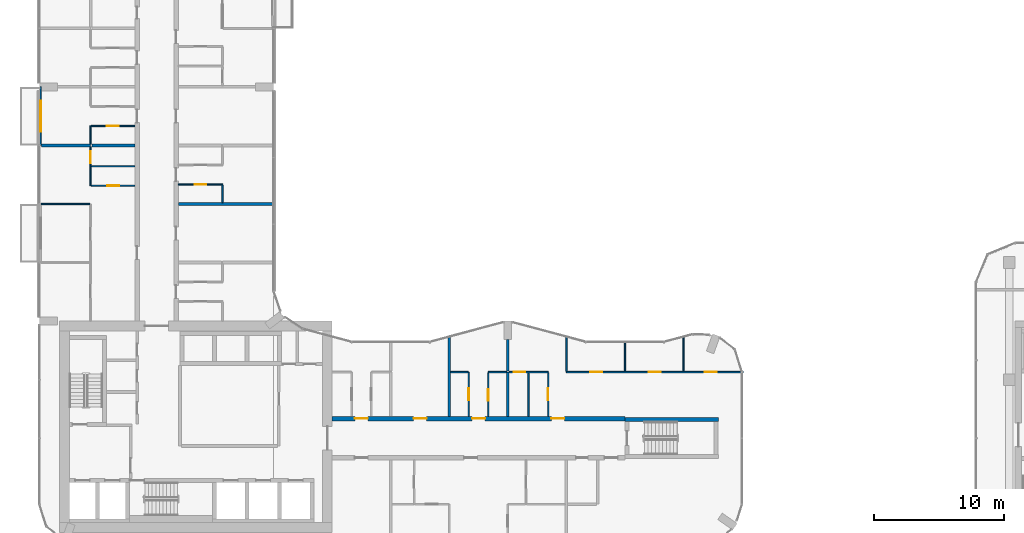
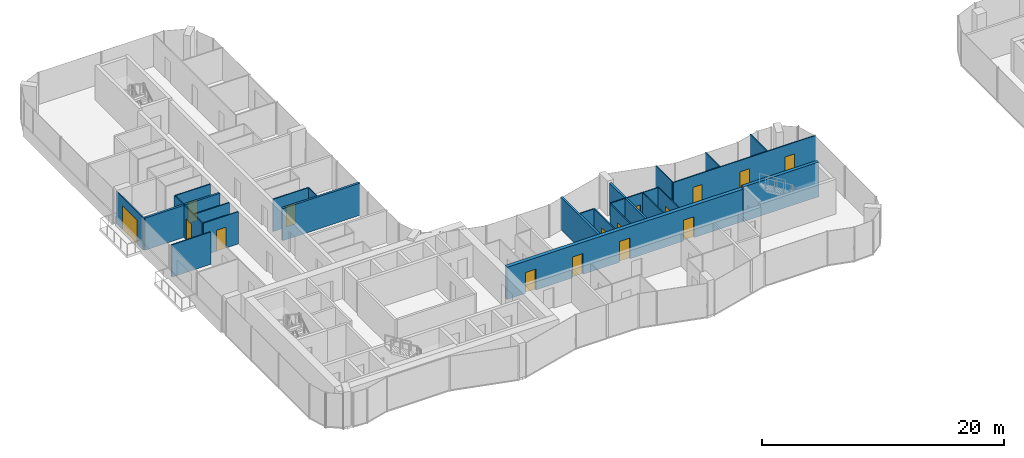
# One storey, part 16 of 24: 28 walls, 16 doors, 16 openings.
"""IFC4 building model written with IfcOpenShell, lengths in metres."""

from ifc_helpers import new_model, si_unit, direction, frame, frame_2d, origin, place, context, subcontext, project, spatial, rectangle, extrude, material, layer, layer_set, type_object, element, fill, save


model = new_model("IFC4")

# Units and contexts
model_context = context("Model", 3, precision=1e-05, world=origin(), true_north=direction((0.0, 1.0)))
body_context = subcontext(model_context, "Body", "Model", "MODEL_VIEW")
ifc_project = project(units=[si_unit("LENGTHUNIT", "METRE"), si_unit("AREAUNIT", "SQUARE_METRE"), si_unit("VOLUMEUNIT", "CUBIC_METRE"), si_unit("PLANEANGLEUNIT", "RADIAN"), si_unit("MASSUNIT", "GRAM", prefix="KILO")], contexts=[model_context])

# Site, building, storey
site_placement = place(None, origin())
site = spatial("IfcSite", under=ifc_project, at=site_placement, CompositionType="ELEMENT")
building_placement = place(site_placement, origin())
building = spatial("IfcBuilding", under=site, at=building_placement, Name="Plateau Cross Towers", CompositionType="ELEMENT")
storey_placement = place(building_placement, frame((0.0, 0.0, 44.300048828125)))
storey = spatial("IfcBuildingStorey", under=building, at=storey_placement, Name="L10", CompositionType="ELEMENT", Elevation=44.300048828125)

# Wall, opening, door
ifc_material_1 = material(Name="Aluminium framed glazing", Category="aluminium")
ifc_layer_1 = layer(ifc_material_1, 0.10009765625)
ifc_layer_set_1 = layer_set([ifc_layer_1], Name="Aluminium framed glazing")
wall_type_1 = type_object("IfcWallType", Name="Balcony screen wall 100", PredefinedType="STANDARD", material=ifc_layer_set_1)
wall_1_placement = place(storey_placement, frame((0.10009765625, 31.5, 0.0), z_axis=(0.0, 0.0, 1.0), x_axis=(0.0, 1.0, 0.0)))
wall_1 = element("IfcWall", 1, at=wall_1_placement, inside=storey, type_object=wall_type_1, Name="Balcony screen wall A-BAL-L10-02", PredefinedType="STANDARD", context=body_context, shape_type="SweptSolid", body=[
    extrude(rectangle(XDim=4.5, YDim=0.10009765625, at=frame_2d((2.25, 0.0))), origin(), (0.0, 0.0, 1.0), 3.25),
])
opening_1_placement = place(wall_1_placement, frame((1.050048828125, 0.0, 0.0)))
opening_1 = element("IfcOpeningElement", 2, at=opening_1_placement, cuts=wall_1, Name="Opening D-B24", PredefinedType="OPENING", context=body_context, shape_type="SweptSolid", body=[
    extrude(rectangle(XDim=2.39990234375, YDim=2.39990234375, at=frame_2d((1.199951171875, 1.199951171875))), frame((0.0, 0.06005859375, 0.0), z_axis=(0.0, -1.0, 0.0), x_axis=(1.0, 0.0, 0.0)), (0.0, 0.0, 1.0), 0.1201171875),
])
ifc_material_2 = material(Name="Aluminium frame, double glazing", Category="aluminium")
door_type_1 = type_object("IfcDoorType", Name="Balcony sliding door 2400", OperationType="NOTDEFINED", PredefinedType="DOOR", material=ifc_material_2)
door_1_placement = place(opening_1_placement, origin())
door_1 = element("IfcDoor", 3, at=door_1_placement, inside=storey, type_object=door_type_1, Name="Balcony door A-BAL-L10-02", OperationType="SINGLE_SWING_LEFT", OverallHeight=2.39990234375, OverallWidth=2.39990234375, PredefinedType="DOOR", context=body_context, shape_type="SweptSolid", body=[
    extrude(rectangle(XDim=2.39990234375, YDim=2.39990234375, at=frame_2d((1.199951171875, 1.199951171875))), frame((0.0, 0.02490234375, 0.0), z_axis=(0.0, -1.0, 0.0), x_axis=(1.0, 0.0, 0.0)), (0.0, 0.0, 1.0), 0.050048828125),
])
fill(opening_1, door_1)

# Wall, openings, doors
ifc_material_3 = material(Name="Concrete C60/75", Category="concrete")
ifc_layer_2 = layer(ifc_material_3, 0.35009765625)
ifc_layer_set_2 = layer_set([ifc_layer_2], Name="Concrete C60/75")
wall_type_2 = type_object("IfcWallType", Name="Corridor wall 350", PredefinedType="SHEAR", material=ifc_layer_set_2)
wall_2_placement = place(storey_placement, frame((22.5, 10.5, 0.0), z_axis=(0.0, 0.0, 1.0), x_axis=(1.0, 0.0, 0.0)))
wall_2 = element("IfcWall", 4, at=wall_2_placement, inside=storey, type_object=wall_type_2, Name="A-cw-S2@L10", PredefinedType="SHEAR", context=body_context, shape_type="SweptSolid", body=[
    extrude(rectangle(XDim=22.5, YDim=0.35009765625, at=frame_2d((11.25, 0.0))), origin(), (0.0, 0.0, 1.0), 3.25),
])
opening_2_placement = place(wall_2_placement, frame((1.75, 0.0, 0.0)))
opening_2 = element("IfcOpeningElement", 5, at=opening_2_placement, cuts=wall_2, Name="Opening 10-05", PredefinedType="OPENING", context=body_context, shape_type="SweptSolid", body=[
    extrude(rectangle(XDim=1.0, YDim=2.10009765625, at=frame_2d((0.5, 1.050048828125))), frame((0.0, 0.18505859375, 0.0), z_axis=(0.0, -1.0, 0.0), x_axis=(1.0, 0.0, 0.0)), (0.0, 0.0, 1.0), 0.3701171875),
])
opening_3_placement = place(wall_2_placement, frame((6.25, 0.0, 0.0)))
opening_3 = element("IfcOpeningElement", 6, at=opening_3_placement, cuts=wall_2, Name="Opening 10-06", PredefinedType="OPENING", context=body_context, shape_type="SweptSolid", body=[
    extrude(rectangle(XDim=1.0, YDim=2.10009765625, at=frame_2d((0.5, 1.050048828125))), frame((0.0, 0.18505859375, 0.0), z_axis=(0.0, -1.0, 0.0), x_axis=(1.0, 0.0, 0.0)), (0.0, 0.0, 1.0), 0.3701171875),
])
opening_4_placement = place(wall_2_placement, frame((10.75, 0.0, 0.0)))
opening_4 = element("IfcOpeningElement", 7, at=opening_4_placement, cuts=wall_2, Name="Opening 10-07", PredefinedType="OPENING", context=body_context, shape_type="SweptSolid", body=[
    extrude(rectangle(XDim=1.0, YDim=2.10009765625, at=frame_2d((0.5, 1.050048828125))), frame((0.0, 0.18505859375, 0.0), z_axis=(0.0, -1.0, 0.0), x_axis=(1.0, 0.0, 0.0)), (0.0, 0.0, 1.0), 0.3701171875),
])
opening_5_placement = place(wall_2_placement, frame((16.85009765625, 0.0, 0.0)))
opening_5 = element("IfcOpeningElement", 8, at=opening_5_placement, cuts=wall_2, Name="Opening 10-08", PredefinedType="OPENING", context=body_context, shape_type="SweptSolid", body=[
    extrude(rectangle(XDim=1.0, YDim=2.10009765625, at=frame_2d((0.5, 1.050048828125))), frame((0.0, 0.18505859375, 0.0), z_axis=(0.0, -1.0, 0.0), x_axis=(1.0, 0.0, 0.0)), (0.0, 0.0, 1.0), 0.3701171875),
])
ifc_material_4 = material(Name="Timber, fire-resisting leaf", Category="wood")
door_type_2 = type_object("IfcDoorType", Name="Flat entrance door 1000", OperationType="NOTDEFINED", PredefinedType="DOOR", material=ifc_material_4)
door_2_placement = place(opening_2_placement, origin())
door_2 = element("IfcDoor", 9, at=door_2_placement, inside=storey, type_object=door_type_2, Name="Door 10-05", OperationType="SINGLE_SWING_LEFT", OverallHeight=2.10009765625, OverallWidth=1.0, PredefinedType="DOOR", context=body_context, shape_type="SweptSolid", body=[
    extrude(rectangle(XDim=1.0, YDim=2.10009765625, at=frame_2d((0.5, 1.050048828125))), frame((0.0, 0.02490234375, 0.0), z_axis=(0.0, -1.0, 0.0), x_axis=(1.0, 0.0, 0.0)), (0.0, 0.0, 1.0), 0.050048828125),
])
fill(opening_2, door_2)
door_3_placement = place(opening_3_placement, origin())
door_3 = element("IfcDoor", 10, at=door_3_placement, inside=storey, type_object=door_type_2, Name="Door 10-06", OperationType="SINGLE_SWING_LEFT", OverallHeight=2.10009765625, OverallWidth=1.0, PredefinedType="DOOR", context=body_context, shape_type="SweptSolid", body=[
    extrude(rectangle(XDim=1.0, YDim=2.10009765625, at=frame_2d((0.5, 1.050048828125))), frame((0.0, 0.02490234375, 0.0), z_axis=(0.0, -1.0, 0.0), x_axis=(1.0, 0.0, 0.0)), (0.0, 0.0, 1.0), 0.050048828125),
])
fill(opening_3, door_3)
door_4_placement = place(opening_4_placement, origin())
door_4 = element("IfcDoor", 11, at=door_4_placement, inside=storey, type_object=door_type_2, Name="Door 10-07", OperationType="SINGLE_SWING_LEFT", OverallHeight=2.10009765625, OverallWidth=1.0, PredefinedType="DOOR", context=body_context, shape_type="SweptSolid", body=[
    extrude(rectangle(XDim=1.0, YDim=2.10009765625, at=frame_2d((0.5, 1.050048828125))), frame((0.0, 0.02490234375, 0.0), z_axis=(0.0, -1.0, 0.0), x_axis=(1.0, 0.0, 0.0)), (0.0, 0.0, 1.0), 0.050048828125),
])
fill(opening_4, door_4)
door_5_placement = place(opening_5_placement, origin())
door_5 = element("IfcDoor", 12, at=door_5_placement, inside=storey, type_object=door_type_2, Name="Door 10-08", OperationType="SINGLE_SWING_RIGHT", OverallHeight=2.10009765625, OverallWidth=1.0, PredefinedType="DOOR", context=body_context, shape_type="SweptSolid", body=[
    extrude(rectangle(XDim=1.0, YDim=2.10009765625, at=frame_2d((0.5, 1.050048828125))), frame((0.0, 0.02490234375, 0.0), z_axis=(0.0, -1.0, 0.0), x_axis=(1.0, 0.0, 0.0)), (0.0, 0.0, 1.0), 0.050048828125),
])
fill(opening_5, door_5)

# Walls
ifc_material_5 = material(Name="Gypsum board on steel studs", Category="steel")
ifc_layer_3 = layer(ifc_material_5, 0.10009765625)
ifc_layer_set_3 = layer_set([ifc_layer_3], Name="Gypsum board on steel studs")
wall_type_3 = type_object("IfcWallType", Name="Flat partition 100", PredefinedType="PARTITIONING", material=ifc_layer_set_3)
wall_3_placement = place(storey_placement, frame((32.949951171875, 14.074951171875, 0.0), z_axis=(0.0, 0.0, 1.0), x_axis=(-1.0, 0.0, 0.0)))
element("IfcWall", 13, at=wall_3_placement, inside=storey, type_object=wall_type_3, Name="Partition wall", PredefinedType="PARTITIONING", context=body_context, shape_type="SweptSolid", body=[
    extrude(rectangle(XDim=1.349853515625, YDim=0.10009765625, at=frame_2d((0.6748046875, 0.0))), origin(), (0.0, 0.0, 1.0), 3.25),
])
wall_4_placement = place(storey_placement, frame((35.89990234375, 14.074951171875, 0.0), z_axis=(0.0, 0.0, 1.0), x_axis=(-1.0, 0.0, 0.0)))
element("IfcWall", 14, at=wall_4_placement, inside=storey, type_object=wall_type_3, Name="Partition wall", PredefinedType="PARTITIONING", context=body_context, shape_type="SweptSolid", body=[
    extrude(rectangle(XDim=1.39990234375, YDim=0.10009765625, at=frame_2d((0.699951171875, 0.0))), origin(), (0.0, 0.0, 1.0), 3.25),
])

# Wall, opening, door
wall_5_placement = place(storey_placement, frame((39.10009765625, 14.074951171875, 0.0), z_axis=(0.0, 0.0, 1.0), x_axis=(-1.0, 0.0, 0.0)))
wall_5 = element("IfcWall", 15, at=wall_5_placement, inside=storey, type_object=wall_type_3, Name="Partition wall", PredefinedType="PARTITIONING", context=body_context, shape_type="SweptSolid", body=[
    extrude(rectangle(XDim=3.0, YDim=0.10009765625, at=frame_2d((1.5, 0.0))), origin(), (0.0, 0.0, 1.0), 3.25),
])
opening_6_placement = place(wall_5_placement, frame((1.75, 0.0, 0.0)))
opening_6 = element("IfcOpeningElement", 16, at=opening_6_placement, cuts=wall_5, Name="Opening 10-27", PredefinedType="OPENING", context=body_context, shape_type="SweptSolid", body=[
    extrude(rectangle(XDim=0.89990234375, YDim=2.10009765625, at=frame_2d((0.449951171875, 1.050048828125))), frame((0.0, 0.06005859375, 0.0), z_axis=(0.0, -1.0, 0.0), x_axis=(1.0, 0.0, 0.0)), (0.0, 0.0, 1.0), 0.1201171875),
])
ifc_material_6 = material(Name="Timber leaf", Category="wood")
door_type_3 = type_object("IfcDoorType", Name="Flat room door 900", OperationType="NOTDEFINED", PredefinedType="DOOR", material=ifc_material_6)
door_6_placement = place(opening_6_placement, origin())
door_6 = element("IfcDoor", 17, at=door_6_placement, inside=storey, type_object=door_type_3, Name="Door 10-27", OperationType="SINGLE_SWING_RIGHT", OverallHeight=2.10009765625, OverallWidth=0.89990234375, PredefinedType="DOOR", context=body_context, shape_type="SweptSolid", body=[
    extrude(rectangle(XDim=0.89990234375, YDim=2.10009765625, at=frame_2d((0.449951171875, 1.050048828125))), frame((0.0, 0.02490234375, 0.0), z_axis=(0.0, -1.0, 0.0), x_axis=(1.0, 0.0, 0.0)), (0.0, 0.0, 1.0), 0.050048828125),
])
fill(opening_6, door_6)

# Wall, openings, doors
wall_6_placement = place(storey_placement, frame((40.5, 14.074951171875, 0.0), z_axis=(0.0, 0.0, 1.0), x_axis=(1.0, 0.0, 0.0)))
wall_6 = element("IfcWall", 18, at=wall_6_placement, inside=storey, type_object=wall_type_3, Name="Partition wall", PredefinedType="PARTITIONING", context=body_context, shape_type="SweptSolid", body=[
    extrude(rectangle(XDim=13.580078125, YDim=0.10009765625, at=frame_2d((6.7900390625, 0.0))), origin(), (0.0, 0.0, 1.0), 3.25),
])
opening_7_placement = place(wall_6_placement, frame((1.85009765625, 0.0, 0.0)))
opening_7 = element("IfcOpeningElement", 19, at=opening_7_placement, cuts=wall_6, Name="Opening 10-29", PredefinedType="OPENING", context=body_context, shape_type="SweptSolid", body=[
    extrude(rectangle(XDim=0.89990234375, YDim=2.10009765625, at=frame_2d((0.449951171875, 1.050048828125))), frame((0.0, 0.06005859375, 0.0), z_axis=(0.0, -1.0, 0.0), x_axis=(1.0, 0.0, 0.0)), (0.0, 0.0, 1.0), 0.1201171875),
])
opening_8_placement = place(wall_6_placement, frame((6.35009765625, 0.0, 0.0)))
opening_8 = element("IfcOpeningElement", 20, at=opening_8_placement, cuts=wall_6, Name="Opening 10-30", PredefinedType="OPENING", context=body_context, shape_type="SweptSolid", body=[
    extrude(rectangle(XDim=0.89990234375, YDim=2.10009765625, at=frame_2d((0.449951171875, 1.050048828125))), frame((0.0, 0.06005859375, 0.0), z_axis=(0.0, -1.0, 0.0), x_axis=(1.0, 0.0, 0.0)), (0.0, 0.0, 1.0), 0.1201171875),
])
opening_9_placement = place(wall_6_placement, frame((10.64990234375, 0.0, 0.0)))
opening_9 = element("IfcOpeningElement", 21, at=opening_9_placement, cuts=wall_6, Name="Opening 10-31", PredefinedType="OPENING", context=body_context, shape_type="SweptSolid", body=[
    extrude(rectangle(XDim=0.89990234375, YDim=2.10009765625, at=frame_2d((0.449951171875, 1.050048828125))), frame((0.0, 0.06005859375, 0.0), z_axis=(0.0, -1.0, 0.0), x_axis=(1.0, 0.0, 0.0)), (0.0, 0.0, 1.0), 0.1201171875),
])
door_7_placement = place(opening_7_placement, origin())
door_7 = element("IfcDoor", 22, at=door_7_placement, inside=storey, type_object=door_type_3, Name="Door 10-29", OperationType="SINGLE_SWING_LEFT", OverallHeight=2.10009765625, OverallWidth=0.89990234375, PredefinedType="DOOR", context=body_context, shape_type="SweptSolid", body=[
    extrude(rectangle(XDim=0.89990234375, YDim=2.10009765625, at=frame_2d((0.449951171875, 1.050048828125))), frame((0.0, 0.02490234375, 0.0), z_axis=(0.0, -1.0, 0.0), x_axis=(1.0, 0.0, 0.0)), (0.0, 0.0, 1.0), 0.050048828125),
])
fill(opening_7, door_7)
door_8_placement = place(opening_8_placement, origin())
door_8 = element("IfcDoor", 23, at=door_8_placement, inside=storey, type_object=door_type_3, Name="Door 10-30", OperationType="SINGLE_SWING_RIGHT", OverallHeight=2.10009765625, OverallWidth=0.89990234375, PredefinedType="DOOR", context=body_context, shape_type="SweptSolid", body=[
    extrude(rectangle(XDim=0.89990234375, YDim=2.10009765625, at=frame_2d((0.449951171875, 1.050048828125))), frame((0.0, 0.02490234375, 0.0), z_axis=(0.0, -1.0, 0.0), x_axis=(1.0, 0.0, 0.0)), (0.0, 0.0, 1.0), 0.050048828125),
])
fill(opening_8, door_8)
door_9_placement = place(opening_9_placement, origin())
door_9 = element("IfcDoor", 24, at=door_9_placement, inside=storey, type_object=door_type_3, Name="Door 10-31", OperationType="SINGLE_SWING_RIGHT", OverallHeight=2.10009765625, OverallWidth=0.89990234375, PredefinedType="DOOR", context=body_context, shape_type="SweptSolid", body=[
    extrude(rectangle(XDim=0.89990234375, YDim=2.10009765625, at=frame_2d((0.449951171875, 1.050048828125))), frame((0.0, 0.02490234375, 0.0), z_axis=(0.0, -1.0, 0.0), x_axis=(1.0, 0.0, 0.0)), (0.0, 0.0, 1.0), 0.050048828125),
])
fill(opening_9, door_9)

# Wall
wall_7_placement = place(storey_placement, frame((3.875, 27.0, 0.0), z_axis=(0.0, 0.0, 1.0), x_axis=(-1.0, 0.0, 0.0)))
element("IfcWall", 25, at=wall_7_placement, inside=storey, type_object=wall_type_3, Name="Partition wall", PredefinedType="PARTITIONING", context=body_context, shape_type="SweptSolid", body=[
    extrude(rectangle(XDim=3.72509765625, YDim=0.10009765625, at=frame_2d((1.862548828125, 0.0))), origin(), (0.0, 0.0, 1.0), 3.25),
])

# Wall, opening, door
wall_8_placement = place(storey_placement, frame((3.97509765625, 28.39990234375, 0.0), z_axis=(0.0, 0.0, 1.0), x_axis=(1.0, 0.0, 0.0)))
wall_8 = element("IfcWall", 26, at=wall_8_placement, inside=storey, type_object=wall_type_3, Name="Partition wall", PredefinedType="PARTITIONING", context=body_context, shape_type="SweptSolid", body=[
    extrude(rectangle(XDim=3.349853515625, YDim=0.10009765625, at=frame_2d((1.6748046875, 0.0))), origin(), (0.0, 0.0, 1.0), 3.25),
])
opening_10_placement = place(wall_8_placement, frame((1.25, 0.0, 0.0)))
opening_10 = element("IfcOpeningElement", 27, at=opening_10_placement, cuts=wall_8, Name="Opening 10-32", PredefinedType="OPENING", context=body_context, shape_type="SweptSolid", body=[
    extrude(rectangle(XDim=0.89990234375, YDim=2.10009765625, at=frame_2d((0.449951171875, 1.050048828125))), frame((0.0, 0.06005859375, 0.0), z_axis=(0.0, -1.0, 0.0), x_axis=(1.0, 0.0, 0.0)), (0.0, 0.0, 1.0), 0.1201171875),
])
door_10_placement = place(opening_10_placement, origin())
door_10 = element("IfcDoor", 28, at=door_10_placement, inside=storey, type_object=door_type_3, Name="Door 10-32", OperationType="SINGLE_SWING_RIGHT", OverallHeight=2.10009765625, OverallWidth=0.89990234375, PredefinedType="DOOR", context=body_context, shape_type="SweptSolid", body=[
    extrude(rectangle(XDim=0.89990234375, YDim=2.10009765625, at=frame_2d((0.449951171875, 1.050048828125))), frame((0.0, 0.02490234375, 0.0), z_axis=(0.0, -1.0, 0.0), x_axis=(1.0, 0.0, 0.0)), (0.0, 0.0, 1.0), 0.050048828125),
])
fill(opening_10, door_10)

wall_9_placement = place(storey_placement, frame((14.074951171875, 28.5, 0.0), z_axis=(0.0, 0.0, 1.0), x_axis=(-1.0, 0.0, 0.0)))
wall_9 = element("IfcWall", 29, at=wall_9_placement, inside=storey, type_object=wall_type_3, Name="Partition wall", PredefinedType="PARTITIONING", context=body_context, shape_type="SweptSolid", body=[
    extrude(rectangle(XDim=3.39990234375, YDim=0.10009765625, at=frame_2d((1.699951171875, 0.0))), origin(), (0.0, 0.0, 1.0), 3.25),
])
opening_11_placement = place(wall_9_placement, frame((1.25, 0.0, 0.0)))
opening_11 = element("IfcOpeningElement", 30, at=opening_11_placement, cuts=wall_9, Name="Opening 10-42", PredefinedType="OPENING", context=body_context, shape_type="SweptSolid", body=[
    extrude(rectangle(XDim=0.89990234375, YDim=2.10009765625, at=frame_2d((0.449951171875, 1.050048828125))), frame((0.0, 0.06005859375, 0.0), z_axis=(0.0, -1.0, 0.0), x_axis=(1.0, 0.0, 0.0)), (0.0, 0.0, 1.0), 0.1201171875),
])
door_11_placement = place(opening_11_placement, origin())
door_11 = element("IfcDoor", 31, at=door_11_placement, inside=storey, type_object=door_type_3, Name="Door 10-42", OperationType="SINGLE_SWING_RIGHT", OverallHeight=2.10009765625, OverallWidth=0.89990234375, PredefinedType="DOOR", context=body_context, shape_type="SweptSolid", body=[
    extrude(rectangle(XDim=0.89990234375, YDim=2.10009765625, at=frame_2d((0.449951171875, 1.050048828125))), frame((0.0, 0.02490234375, 0.0), z_axis=(0.0, -1.0, 0.0), x_axis=(1.0, 0.0, 0.0)), (0.0, 0.0, 1.0), 0.050048828125),
])
fill(opening_11, door_11)

# Wall
wall_10_placement = place(storey_placement, frame((7.324951171875, 29.89990234375, 0.0), z_axis=(0.0, 0.0, 1.0), x_axis=(-1.0, 0.0, 0.0)))
element("IfcWall", 32, at=wall_10_placement, inside=storey, type_object=wall_type_3, Name="Partition wall", PredefinedType="PARTITIONING", context=body_context, shape_type="SweptSolid", body=[
    extrude(rectangle(XDim=3.349853515625, YDim=0.10009765625, at=frame_2d((1.6748046875, 0.0))), origin(), (0.0, 0.0, 1.0), 3.25),
])

# Wall, opening, door
wall_11_placement = place(storey_placement, frame((7.324951171875, 33.0, 0.0), z_axis=(0.0, 0.0, 1.0), x_axis=(-1.0, 0.0, 0.0)))
wall_11 = element("IfcWall", 33, at=wall_11_placement, inside=storey, type_object=wall_type_3, Name="Partition wall", PredefinedType="PARTITIONING", context=body_context, shape_type="SweptSolid", body=[
    extrude(rectangle(XDim=3.349853515625, YDim=0.10009765625, at=frame_2d((1.6748046875, 0.0))), origin(), (0.0, 0.0, 1.0), 3.25),
])
opening_12_placement = place(wall_11_placement, frame((1.25, 0.0, 0.0)))
opening_12 = element("IfcOpeningElement", 34, at=opening_12_placement, cuts=wall_11, Name="Opening 10-36", PredefinedType="OPENING", context=body_context, shape_type="SweptSolid", body=[
    extrude(rectangle(XDim=0.89990234375, YDim=2.10009765625, at=frame_2d((0.449951171875, 1.050048828125))), frame((0.0, 0.06005859375, 0.0), z_axis=(0.0, -1.0, 0.0), x_axis=(1.0, 0.0, 0.0)), (0.0, 0.0, 1.0), 0.1201171875),
])
door_12_placement = place(opening_12_placement, origin())
door_12 = element("IfcDoor", 35, at=door_12_placement, inside=storey, type_object=door_type_3, Name="Door 10-36", OperationType="SINGLE_SWING_RIGHT", OverallHeight=2.10009765625, OverallWidth=0.89990234375, PredefinedType="DOOR", context=body_context, shape_type="SweptSolid", body=[
    extrude(rectangle(XDim=0.89990234375, YDim=2.10009765625, at=frame_2d((0.449951171875, 1.050048828125))), frame((0.0, 0.02490234375, 0.0), z_axis=(0.0, -1.0, 0.0), x_axis=(1.0, 0.0, 0.0)), (0.0, 0.0, 1.0), 0.050048828125),
])
fill(opening_12, door_12)

wall_12_placement = place(storey_placement, frame((3.925048828125, 31.39990234375, 0.0), z_axis=(0.0, 0.0, 1.0), x_axis=(0.0, -1.0, 0.0)))
wall_12 = element("IfcWall", 36, at=wall_12_placement, inside=storey, type_object=wall_type_3, Name="Partition wall", PredefinedType="PARTITIONING", context=body_context, shape_type="SweptSolid", body=[
    extrude(rectangle(XDim=3.0, YDim=0.10009765625, at=frame_2d((1.5, 0.0))), origin(), (0.0, 0.0, 1.0), 3.25),
])
opening_13_placement = place(wall_12_placement, frame((0.35009765625, 0.0, 0.0)))
opening_13 = element("IfcOpeningElement", 37, at=opening_13_placement, cuts=wall_12, Name="Opening 10-33", PredefinedType="OPENING", context=body_context, shape_type="SweptSolid", body=[
    extrude(rectangle(XDim=0.89990234375, YDim=2.10009765625, at=frame_2d((0.449951171875, 1.050048828125))), frame((0.0, 0.06005859375, 0.0), z_axis=(0.0, -1.0, 0.0), x_axis=(1.0, 0.0, 0.0)), (0.0, 0.0, 1.0), 0.1201171875),
])
door_13_placement = place(opening_13_placement, origin())
door_13 = element("IfcDoor", 38, at=door_13_placement, inside=storey, type_object=door_type_3, Name="Door 10-33", OperationType="SINGLE_SWING_LEFT", OverallHeight=2.10009765625, OverallWidth=0.89990234375, PredefinedType="DOOR", context=body_context, shape_type="SweptSolid", body=[
    extrude(rectangle(XDim=0.89990234375, YDim=2.10009765625, at=frame_2d((0.449951171875, 1.050048828125))), frame((0.0, 0.02490234375, 0.0), z_axis=(0.0, -1.0, 0.0), x_axis=(1.0, 0.0, 0.0)), (0.0, 0.0, 1.0), 0.050048828125),
])
fill(opening_13, door_13)

# Walls
wall_13_placement = place(storey_placement, frame((3.925048828125, 33.0, 0.0), z_axis=(0.0, 0.0, 1.0), x_axis=(0.0, -1.0, 0.0)))
element("IfcWall", 39, at=wall_13_placement, inside=storey, type_object=wall_type_3, Name="Partition wall", PredefinedType="PARTITIONING", context=body_context, shape_type="SweptSolid", body=[
    extrude(rectangle(XDim=1.39990234375, YDim=0.10009765625, at=frame_2d((0.699951171875, 0.0))), origin(), (0.0, 0.0, 1.0), 3.25),
])
wall_14_placement = place(storey_placement, frame((14.074951171875, 27.10009765625, 0.0), z_axis=(0.0, 0.0, 1.0), x_axis=(0.0, 1.0, 0.0)))
element("IfcWall", 40, at=wall_14_placement, inside=storey, type_object=wall_type_3, Name="Partition wall", PredefinedType="PARTITIONING", context=body_context, shape_type="SweptSolid", body=[
    extrude(rectangle(XDim=1.349853515625, YDim=0.10009765625, at=frame_2d((0.6748046875, 0.0))), origin(), (0.0, 0.0, 1.0), 3.25),
])

# Wall, opening, door
wall_15_placement = place(storey_placement, frame((33.0, 10.675048828125, 0.0), z_axis=(0.0, 0.0, 1.0), x_axis=(0.0, 1.0, 0.0)))
wall_15 = element("IfcWall", 41, at=wall_15_placement, inside=storey, type_object=wall_type_3, Name="Partition wall", PredefinedType="PARTITIONING", context=body_context, shape_type="SweptSolid", body=[
    extrude(rectangle(XDim=3.39990234375, YDim=0.10009765625, at=frame_2d((1.699951171875, 0.0))), origin(), (0.0, 0.0, 1.0), 3.25),
])
opening_14_placement = place(wall_15_placement, frame((1.25, 0.0, 0.0)))
opening_14 = element("IfcOpeningElement", 42, at=opening_14_placement, cuts=wall_15, Name="Opening 10-25", PredefinedType="OPENING", context=body_context, shape_type="SweptSolid", body=[
    extrude(rectangle(XDim=0.89990234375, YDim=2.10009765625, at=frame_2d((0.449951171875, 1.050048828125))), frame((0.0, 0.06005859375, 0.0), z_axis=(0.0, -1.0, 0.0), x_axis=(1.0, 0.0, 0.0)), (0.0, 0.0, 1.0), 0.1201171875),
])
door_14_placement = place(opening_14_placement, origin())
door_14 = element("IfcDoor", 43, at=door_14_placement, inside=storey, type_object=door_type_3, Name="Door 10-25", OperationType="SINGLE_SWING_RIGHT", OverallHeight=2.10009765625, OverallWidth=0.89990234375, PredefinedType="DOOR", context=body_context, shape_type="SweptSolid", body=[
    extrude(rectangle(XDim=0.89990234375, YDim=2.10009765625, at=frame_2d((0.449951171875, 1.050048828125))), frame((0.0, 0.02490234375, 0.0), z_axis=(0.0, -1.0, 0.0), x_axis=(1.0, 0.0, 0.0)), (0.0, 0.0, 1.0), 0.050048828125),
])
fill(opening_14, door_14)

wall_16_placement = place(storey_placement, frame((34.5, 14.02490234375, 0.0), z_axis=(0.0, 0.0, 1.0), x_axis=(0.0, -1.0, 0.0)))
wall_16 = element("IfcWall", 44, at=wall_16_placement, inside=storey, type_object=wall_type_3, Name="Partition wall", PredefinedType="PARTITIONING", context=body_context, shape_type="SweptSolid", body=[
    extrude(rectangle(XDim=3.349853515625, YDim=0.10009765625, at=frame_2d((1.6748046875, 0.0))), origin(), (0.0, 0.0, 1.0), 3.25),
])
opening_15_placement = place(wall_16_placement, frame((1.25, 0.0, 0.0)))
opening_15 = element("IfcOpeningElement", 45, at=opening_15_placement, cuts=wall_16, Name="Opening 10-26", PredefinedType="OPENING", context=body_context, shape_type="SweptSolid", body=[
    extrude(rectangle(XDim=0.89990234375, YDim=2.10009765625, at=frame_2d((0.449951171875, 1.050048828125))), frame((0.0, 0.06005859375, 0.0), z_axis=(0.0, -1.0, 0.0), x_axis=(1.0, 0.0, 0.0)), (0.0, 0.0, 1.0), 0.1201171875),
])
door_15_placement = place(opening_15_placement, origin())
door_15 = element("IfcDoor", 46, at=door_15_placement, inside=storey, type_object=door_type_3, Name="Door 10-26", OperationType="SINGLE_SWING_RIGHT", OverallHeight=2.10009765625, OverallWidth=0.89990234375, PredefinedType="DOOR", context=body_context, shape_type="SweptSolid", body=[
    extrude(rectangle(XDim=0.89990234375, YDim=2.10009765625, at=frame_2d((0.449951171875, 1.050048828125))), frame((0.0, 0.02490234375, 0.0), z_axis=(0.0, -1.0, 0.0), x_axis=(1.0, 0.0, 0.0)), (0.0, 0.0, 1.0), 0.050048828125),
])
fill(opening_15, door_15)

# Wall
wall_17_placement = place(storey_placement, frame((37.60009765625, 10.675048828125, 0.0), z_axis=(0.0, 0.0, 1.0), x_axis=(0.0, 1.0, 0.0)))
element("IfcWall", 47, at=wall_17_placement, inside=storey, type_object=wall_type_3, Name="Partition wall", PredefinedType="PARTITIONING", context=body_context, shape_type="SweptSolid", body=[
    extrude(rectangle(XDim=3.349853515625, YDim=0.10009765625, at=frame_2d((1.6748046875, 0.0))), origin(), (0.0, 0.0, 1.0), 3.25),
])

# Wall, opening, door
wall_18_placement = place(storey_placement, frame((39.10009765625, 10.675048828125, 0.0), z_axis=(0.0, 0.0, 1.0), x_axis=(0.0, 1.0, 0.0)))
wall_18 = element("IfcWall", 48, at=wall_18_placement, inside=storey, type_object=wall_type_3, Name="Partition wall", PredefinedType="PARTITIONING", context=body_context, shape_type="SweptSolid", body=[
    extrude(rectangle(XDim=3.349853515625, YDim=0.10009765625, at=frame_2d((1.6748046875, 0.0))), origin(), (0.0, 0.0, 1.0), 3.25),
])
opening_16_placement = place(wall_18_placement, frame((1.25, 0.0, 0.0)))
opening_16 = element("IfcOpeningElement", 49, at=opening_16_placement, cuts=wall_18, Name="Opening 10-28", PredefinedType="OPENING", context=body_context, shape_type="SweptSolid", body=[
    extrude(rectangle(XDim=0.89990234375, YDim=2.10009765625, at=frame_2d((0.449951171875, 1.050048828125))), frame((0.0, 0.06005859375, 0.0), z_axis=(0.0, -1.0, 0.0), x_axis=(1.0, 0.0, 0.0)), (0.0, 0.0, 1.0), 0.1201171875),
])
door_16_placement = place(opening_16_placement, origin())
door_16 = element("IfcDoor", 50, at=door_16_placement, inside=storey, type_object=door_type_3, Name="Door 10-28", OperationType="SINGLE_SWING_RIGHT", OverallHeight=2.10009765625, OverallWidth=0.89990234375, PredefinedType="DOOR", context=body_context, shape_type="SweptSolid", body=[
    extrude(rectangle(XDim=0.89990234375, YDim=2.10009765625, at=frame_2d((0.449951171875, 1.050048828125))), frame((0.0, 0.02490234375, 0.0), z_axis=(0.0, -1.0, 0.0), x_axis=(1.0, 0.0, 0.0)), (0.0, 0.0, 1.0), 0.050048828125),
])
fill(opening_16, door_16)

# Walls
wall_19_placement = place(storey_placement, frame((40.5, 16.877685546875, 0.0), z_axis=(0.0, 0.0, 1.0), x_axis=(0.0, -1.0, 0.0)))
element("IfcWall", 51, at=wall_19_placement, inside=storey, type_object=wall_type_3, Name="Partition wall", PredefinedType="PARTITIONING", context=body_context, shape_type="SweptSolid", body=[
    extrude(rectangle(XDim=2.752685546875, YDim=0.10009765625, at=frame_2d((1.37646484375, 0.0))), origin(), (0.0, 0.0, 1.0), 3.25),
])
wall_20_placement = place(storey_placement, frame((45.0, 14.125, 0.0), z_axis=(0.0, 0.0, 1.0), x_axis=(0.0, 1.0, 0.0)))
element("IfcWall", 52, at=wall_20_placement, inside=storey, type_object=wall_type_3, Name="Partition wall", PredefinedType="PARTITIONING", context=body_context, shape_type="SweptSolid", body=[
    extrude(rectangle(XDim=2.34814453125, YDim=0.10009765625, at=frame_2d((1.174072265625, 0.0))), origin(), (0.0, 0.0, 1.0), 3.25),
])
wall_21_placement = place(storey_placement, frame((49.5, 14.125, 0.0), z_axis=(0.0, 0.0, 1.0), x_axis=(0.0, 1.0, 0.0)))
element("IfcWall", 53, at=wall_21_placement, inside=storey, type_object=wall_type_3, Name="Partition wall", PredefinedType="PARTITIONING", context=body_context, shape_type="SweptSolid", body=[
    extrude(rectangle(XDim=2.752685546875, YDim=0.10009765625, at=frame_2d((1.37646484375, 0.0))), origin(), (0.0, 0.0, 1.0), 3.25),
])
ifc_material_7 = material(Name="Gypsum board on steel studs, two layers each side", Category="steel")
ifc_layer_4 = layer(ifc_material_7, 0.199951171875)
ifc_layer_set_4 = layer_set([ifc_layer_4], Name="Gypsum board on steel studs, two layers each side")
wall_type_4 = type_object("IfcWallType", Name="Flat party wall 200", PredefinedType="PARTITIONING", material=ifc_layer_set_4)
wall_22_placement = place(storey_placement, frame((18.080078125, 27.0, 0.0), z_axis=(0.0, 0.0, 1.0), x_axis=(-1.0, 0.0, 0.0)))
element("IfcWall", 54, at=wall_22_placement, inside=storey, type_object=wall_type_4, Name="Party wall", PredefinedType="PARTITIONING", context=body_context, shape_type="SweptSolid", body=[
    extrude(rectangle(XDim=7.405029296875, YDim=0.199951171875, at=frame_2d((3.70263671875, 0.0))), origin(), (0.0, 0.0, 1.0), 3.25),
])
wall_23_placement = place(storey_placement, frame((7.324951171875, 31.5, 0.0), z_axis=(0.0, 0.0, 1.0), x_axis=(-1.0, 0.0, 0.0)))
element("IfcWall", 55, at=wall_23_placement, inside=storey, type_object=wall_type_4, Name="Party wall", PredefinedType="PARTITIONING", context=body_context, shape_type="SweptSolid", body=[
    extrude(rectangle(XDim=3.300048828125, YDim=0.199951171875, at=frame_2d((1.64990234375, 0.0))), origin(), (0.0, 0.0, 1.0), 3.25),
])
wall_24_placement = place(storey_placement, frame((0.14990234375, 31.5, 0.0), z_axis=(0.0, 0.0, 1.0), x_axis=(1.0, 0.0, 0.0)))
element("IfcWall", 56, at=wall_24_placement, inside=storey, type_object=wall_type_4, Name="Party wall", PredefinedType="PARTITIONING", context=body_context, shape_type="SweptSolid", body=[
    extrude(rectangle(XDim=3.775146484375, YDim=0.199951171875, at=frame_2d((1.8876953125, 0.0))), origin(), (0.0, 0.0, 1.0), 3.25),
])
wall_25_placement = place(storey_placement, frame((31.5, 10.675048828125, 0.0), z_axis=(0.0, 0.0, 1.0), x_axis=(0.0, 1.0, 0.0)))
element("IfcWall", 57, at=wall_25_placement, inside=storey, type_object=wall_type_4, Name="Party wall", PredefinedType="PARTITIONING", context=body_context, shape_type="SweptSolid", body=[
    extrude(rectangle(XDim=6.20263671875, YDim=0.199951171875, at=frame_2d((3.101318359375, 0.0))), origin(), (0.0, 0.0, 1.0), 3.25),
])
wall_26_placement = place(storey_placement, frame((36.0, 16.60009765625, 0.0), z_axis=(0.0, 0.0, 1.0), x_axis=(0.0, -1.0, 0.0)))
element("IfcWall", 58, at=wall_26_placement, inside=storey, type_object=wall_type_4, Name="Party wall", PredefinedType="PARTITIONING", context=body_context, shape_type="SweptSolid", body=[
    extrude(rectangle(XDim=2.425048828125, YDim=0.199951171875, at=frame_2d((1.21240234375, 0.0))), origin(), (0.0, 0.0, 1.0), 3.25),
])
wall_27_placement = place(storey_placement, frame((36.0, 10.675048828125, 0.0), z_axis=(0.0, 0.0, 1.0), x_axis=(0.0, 1.0, 0.0)))
element("IfcWall", 59, at=wall_27_placement, inside=storey, type_object=wall_type_4, Name="Party wall", PredefinedType="PARTITIONING", context=body_context, shape_type="SweptSolid", body=[
    extrude(rectangle(XDim=3.39990234375, YDim=0.199951171875, at=frame_2d((1.699951171875, 0.0))), origin(), (0.0, 0.0, 1.0), 3.25),
])
ifc_layer_5 = layer(ifc_material_3, 0.300048828125)
ifc_layer_set_5 = layer_set([ifc_layer_5], Name="Concrete C60/75")
wall_type_5 = type_object("IfcWallType", Name="Stair tower wall 300", PredefinedType="SHEAR", material=ifc_layer_set_5)
wall_28_placement = place(storey_placement, frame((45.0, 10.425048828125, 0.0), z_axis=(0.0, 0.0, 1.0), x_axis=(1.0, 0.0, 0.0)))
element("IfcWall", 60, at=wall_28_placement, inside=storey, type_object=wall_type_5, Name="A-end-E-N@L10", PredefinedType="SHEAR", context=body_context, shape_type="SweptSolid", body=[
    extrude(rectangle(XDim=7.199951171875, YDim=0.300048828125, at=frame_2d((3.60009765625, 0.0))), origin(), (0.0, 0.0, 1.0), 3.5),
])

save(model, "model.ifc")
